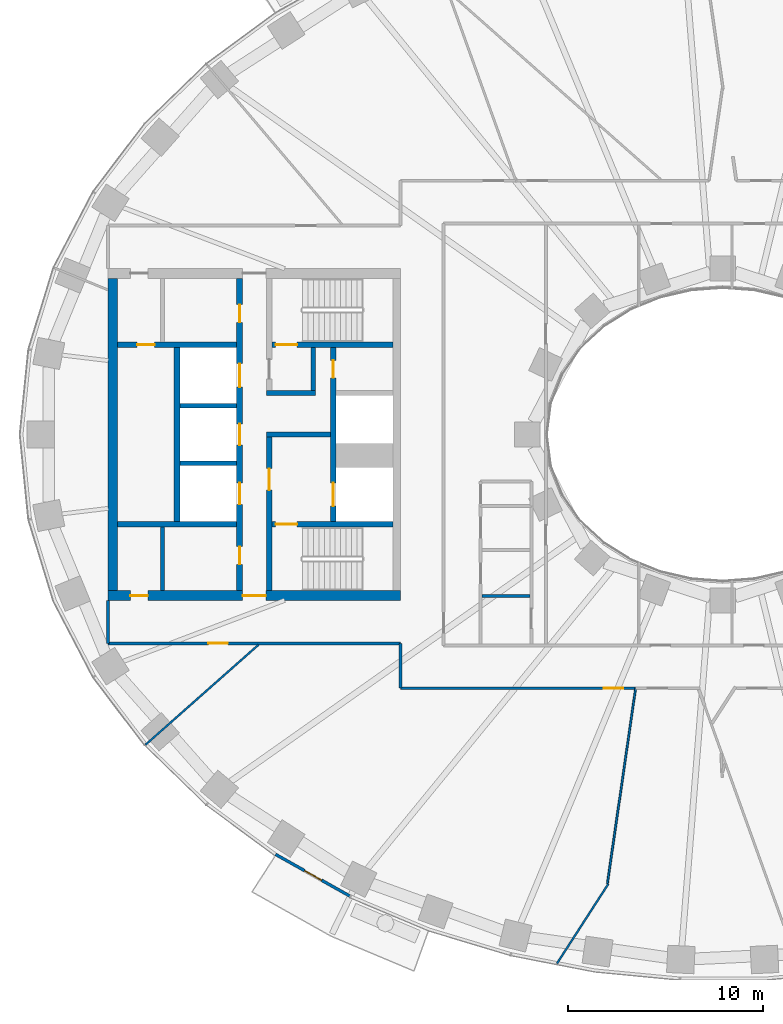
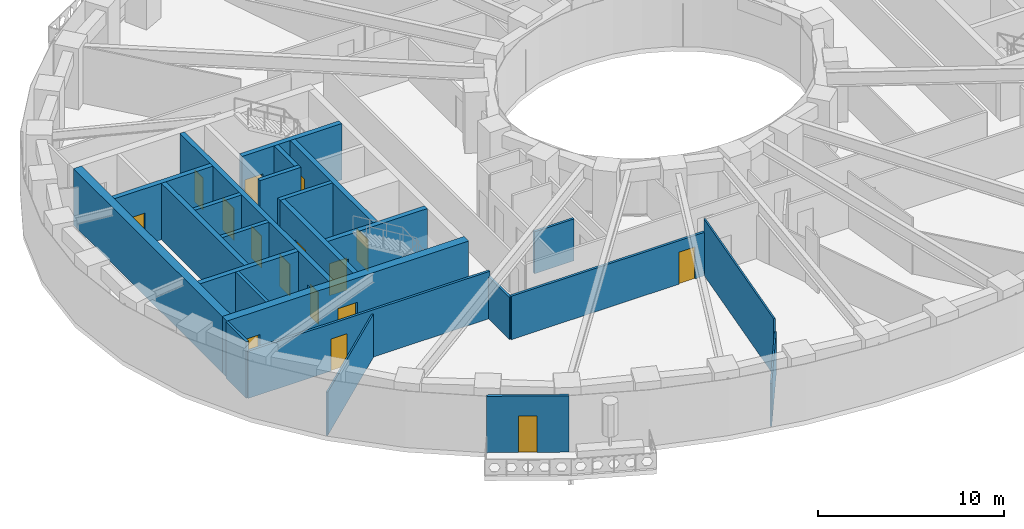
# One storey, part 3 of 15: 25 walls, 16 doors, 16 openings.
"""IFC4 building model written with IfcOpenShell, lengths in metres."""

from ifc_helpers import new_model, si_unit, direction, frame, frame_2d, origin, place, context, subcontext, project, spatial, rectangle, extrude, material, layer, layer_set, type_object, element, fill, save


model = new_model("IFC4")

# Units and contexts
model_context = context("Model", 3, precision=1e-05, world=origin(), true_north=direction((0.0, 1.0)))
body_context = subcontext(model_context, "Body", "Model", "MODEL_VIEW")
ifc_project = project(units=[si_unit("LENGTHUNIT", "METRE"), si_unit("AREAUNIT", "SQUARE_METRE"), si_unit("VOLUMEUNIT", "CUBIC_METRE"), si_unit("PLANEANGLEUNIT", "RADIAN"), si_unit("MASSUNIT", "GRAM", prefix="KILO")], contexts=[model_context])

# Site, building, storey
site_placement = place(None, origin())
site = spatial("IfcSite", under=ifc_project, at=site_placement, CompositionType="ELEMENT")
building_placement = place(site_placement, origin())
building = spatial("IfcBuilding", under=site, at=building_placement, Name="Noorbagh Ring Tower", CompositionType="ELEMENT")
storey_placement = place(building_placement, frame((0.0, 0.0, 62.5)))
storey = spatial("IfcBuildingStorey", under=building, at=storey_placement, Name="L13", CompositionType="ELEMENT", Elevation=62.5)

# Walls
ifc_material_1 = material(Name="Gypsum board on steel studs", Category="steel")
ifc_layer_1 = layer(ifc_material_1, 0.199951171875)
ifc_layer_set_1 = layer_set([ifc_layer_1], Name="Gypsum board on steel studs")
wall_type_1 = type_object("IfcWallType", Name="CORE-PARTITION-200", PredefinedType="PARTITIONING", material=ifc_layer_set_1)
wall_1_placement = place(storey_placement, frame((-28.699951171875, -8.0, 0.0), z_axis=(0.0, 0.0, 1.0), x_axis=(0.0, 1.0, 0.0)))
element("IfcWall", 1, at=wall_1_placement, inside=storey, type_object=wall_type_1, Name="Core partition W", PredefinedType="PARTITIONING", context=body_context, shape_type="SweptSolid", body=[
    extrude(rectangle(XDim=3.25, YDim=0.199951171875, at=frame_2d((1.625, 0.0))), origin(), (0.0, 0.0, 1.0), 3.699951171875),
])
ifc_material_2 = material(Name="Concrete C70/85", Category="concrete")
ifc_layer_2 = layer(ifc_material_2, 0.25)
ifc_layer_set_2 = layer_set([ifc_layer_2], Name="Concrete C70/85")
wall_type_2 = type_object("IfcWallType", Name="CORE-WALL-250-C70-85-EI120", PredefinedType="SHEAR", material=ifc_layer_set_2)
for number, where, z_axis, x_axis, name in (
    (2, (-24.89990234375, -1.47509765625, 0.0), (0.0, 0.0, 1.0), (-1.0, 0.0, 0.0), "Core wall W"),
    (3, (-24.89990234375, 1.47509765625, 0.0), (0.0, 0.0, 1.0), (-1.0, 0.0, 0.0), "Core wall W"),
):
    element("IfcWall", number, at=place(storey_placement, frame(where, z_axis=z_axis, x_axis=x_axis)), inside=storey, type_object=wall_type_2, Name=name, PredefinedType="SHEAR", context=body_context, shape_type="SweptSolid", body=[
        extrude(rectangle(XDim=2.900146484375, YDim=0.25, at=frame_2d((1.4501953125, 0.0))), origin(), (0.0, 0.0, 1.0), 3.699951171875),
    ])
ifc_material_3 = material(Name="Concrete C70/85", Category="concrete")
ifc_layer_3 = layer(ifc_material_3, 0.25)
ifc_layer_set_3 = layer_set([ifc_layer_3], Name="Concrete C70/85")
wall_type_3 = type_object("IfcWallType", Name="CORE-WALL-250-C70-85-EI240", PredefinedType="SHEAR", material=ifc_layer_set_3)
wall_2_placement = place(storey_placement, frame((-20.10009765625, 0.0, 0.0), z_axis=(0.0, 0.0, 1.0), x_axis=(-1.0, 0.0, 0.0)))
element("IfcWall", 4, at=wall_2_placement, inside=storey, type_object=wall_type_3, Name="Core wall W", PredefinedType="SHEAR", context=body_context, shape_type="SweptSolid", body=[
    extrude(rectangle(XDim=3.27978515625, YDim=0.25, at=frame_2d((1.639892578125, 0.0))), origin(), (0.0, 0.0, 1.0), 3.699951171875),
])
wall_3_placement = place(storey_placement, frame((-20.85009765625, 2.125, 0.0), z_axis=(0.0, 0.0, 1.0), x_axis=(-1.0, 0.0, 0.0)))
element("IfcWall", 5, at=wall_3_placement, inside=storey, type_object=wall_type_3, Name="Core wall W", PredefinedType="SHEAR", context=body_context, shape_type="SweptSolid", body=[
    extrude(rectangle(XDim=2.52978515625, YDim=0.25, at=frame_2d((1.264892578125, 0.0))), origin(), (0.0, 0.0, 1.0), 3.699951171875),
])
wall_4_placement = place(storey_placement, frame((-20.97509765625, 2.25, 0.0), z_axis=(0.0, 0.0, 1.0), x_axis=(0.0, 1.0, 0.0)))
element("IfcWall", 6, at=wall_4_placement, inside=storey, type_object=wall_type_3, Name="Core wall W", PredefinedType="SHEAR", context=body_context, shape_type="SweptSolid", body=[
    extrude(rectangle(XDim=2.199951171875, YDim=0.25, at=frame_2d((1.10009765625, 0.0))), origin(), (0.0, 0.0, 1.0), 3.699951171875),
])
ifc_material_4 = material(Name="Concrete C70/85", Category="concrete")
ifc_layer_4 = layer(ifc_material_4, 0.300048828125)
ifc_layer_set_4 = layer_set([ifc_layer_4], Name="Concrete C70/85")
wall_type_4 = type_object("IfcWallType", Name="CORE-WALL-300-C70-85-EI120", PredefinedType="SHEAR", material=ifc_layer_set_4)
wall_5_placement = place(storey_placement, frame((-27.949951171875, -4.449951171875, 0.0), z_axis=(0.0, 0.0, 1.0), x_axis=(0.0, 1.0, 0.0)))
element("IfcWall", 7, at=wall_5_placement, inside=storey, type_object=wall_type_4, Name="Core wall W", PredefinedType="SHEAR", context=body_context, shape_type="SweptSolid", body=[
    extrude(rectangle(XDim=8.89990234375, YDim=0.300048828125, at=frame_2d((4.449951171875, 0.0))), origin(), (0.0, 0.0, 1.0), 3.699951171875),
])

# Wall, openings, doors
wall_6_placement = place(storey_placement, frame((-19.949951171875, -4.449951171875, 0.0), z_axis=(0.0, 0.0, 1.0), x_axis=(0.0, 1.0, 0.0)))
wall_6 = element("IfcWall", 8, at=wall_6_placement, inside=storey, type_object=wall_type_4, Name="Core wall W", PredefinedType="SHEAR", context=body_context, shape_type="SweptSolid", body=[
    extrude(rectangle(XDim=8.89990234375, YDim=0.300048828125, at=frame_2d((4.449951171875, 0.0))), origin(), (0.0, 0.0, 1.0), 3.699951171875),
])
opening_1_placement = place(wall_6_placement, frame((0.77490234375, 0.0, 0.0)))
opening_1 = element("IfcOpeningElement", 9, at=opening_1_placement, cuts=wall_6, Name="Opening L13-CW01", PredefinedType="OPENING", context=body_context, shape_type="SweptSolid", body=[
    extrude(rectangle(XDim=1.199951171875, YDim=2.10009765625, at=frame_2d((0.60009765625, 1.050048828125))), frame((0.0, 0.16015625, 0.0), z_axis=(0.0, -1.0, 0.0), x_axis=(1.0, 0.0, 0.0)), (0.0, 0.0, 1.0), 0.320068359375),
])
opening_2_placement = place(wall_6_placement, frame((7.35009765625, 0.0, 0.0)))
opening_2 = element("IfcOpeningElement", 10, at=opening_2_placement, cuts=wall_6, Name="Opening L13-CW11", PredefinedType="OPENING", context=body_context, shape_type="SweptSolid", body=[
    extrude(rectangle(XDim=0.89990234375, YDim=2.10009765625, at=frame_2d((0.449951171875, 1.050048828125))), frame((0.0, 0.16015625, 0.0), z_axis=(0.0, -1.0, 0.0), x_axis=(1.0, 0.0, 0.0)), (0.0, 0.0, 1.0), 0.320068359375),
])
ifc_material_5 = material(Name="Steel door leaf", Category="steel")
door_type_1 = type_object("IfcDoorType", Name="CORE-DOOR-DROOM", OperationType="SINGLE_SWING_LEFT", PredefinedType="DOOR", material=ifc_material_5)
door_1_placement = place(opening_2_placement, origin())
door_1 = element("IfcDoor", 11, at=door_1_placement, inside=storey, type_object=door_type_1, Name="Core room door L13-CW11", OperationType="SINGLE_SWING_LEFT", OverallHeight=2.10009765625, OverallWidth=0.89990234375, PredefinedType="DOOR", context=body_context, shape_type="SweptSolid", body=[
    extrude(rectangle(XDim=0.89990234375, YDim=2.10009765625, at=frame_2d((0.449951171875, 1.050048828125))), frame((0.0, 0.02490234375, 0.0), z_axis=(0.0, -1.0, 0.0), x_axis=(1.0, 0.0, 0.0)), (0.0, 0.0, 1.0), 0.050048828125),
])
fill(opening_2, door_1)
ifc_material_6 = material(Name="Steel door leaf", Category="steel")
door_type_2 = type_object("IfcDoorType", Name="CORE-DOOR-LDW", OperationType="DOUBLE_DOOR_SLIDING", PredefinedType="DOOR", material=ifc_material_6)
door_2_placement = place(opening_1_placement, origin())
door_2 = element("IfcDoor", 12, at=door_2_placement, inside=storey, type_object=door_type_2, Name="Landing door FF1 L13-CW01", OperationType="DOUBLE_DOOR_SLIDING", OverallHeight=2.10009765625, OverallWidth=1.199951171875, PredefinedType="DOOR", context=body_context, shape_type="SweptSolid", body=[
    extrude(rectangle(XDim=1.199951171875, YDim=2.10009765625, at=frame_2d((0.60009765625, 1.050048828125))), frame((0.0, 0.02490234375, 0.0), z_axis=(0.0, -1.0, 0.0), x_axis=(1.0, 0.0, 0.0)), (0.0, 0.0, 1.0), 0.050048828125),
])
fill(opening_1, door_2)

wall_7_placement = place(storey_placement, frame((-24.75, -8.0, 0.0), z_axis=(0.0, 0.0, 1.0), x_axis=(0.0, 1.0, 0.0)))
wall_7 = element("IfcWall", 13, at=wall_7_placement, inside=storey, type_object=wall_type_4, Name="Core wall W", PredefinedType="SHEAR", context=body_context, shape_type="SweptSolid", body=[
    extrude(rectangle(XDim=16.0, YDim=0.300048828125, at=frame_2d((8.0, 0.0))), origin(), (0.0, 0.0, 1.0), 3.699951171875),
])
opening_3_placement = place(wall_7_placement, frame((4.425048828125, 0.0, 0.0)))
opening_3 = element("IfcOpeningElement", 14, at=opening_3_placement, cuts=wall_7, Name="Opening L13-CW02", PredefinedType="OPENING", context=body_context, shape_type="SweptSolid", body=[
    extrude(rectangle(XDim=1.10009765625, YDim=2.10009765625, at=frame_2d((0.550048828125, 1.050048828125))), frame((0.0, 0.16015625, 0.0), z_axis=(0.0, -1.0, 0.0), x_axis=(1.0, 0.0, 0.0)), (0.0, 0.0, 1.0), 0.320068359375),
])
opening_4_placement = place(wall_7_placement, frame((7.449951171875, 0.0, 0.0)))
opening_4 = element("IfcOpeningElement", 15, at=opening_4_placement, cuts=wall_7, Name="Opening L13-CW03", PredefinedType="OPENING", context=body_context, shape_type="SweptSolid", body=[
    extrude(rectangle(XDim=1.10009765625, YDim=2.10009765625, at=frame_2d((0.550048828125, 1.050048828125))), frame((0.0, 0.16015625, 0.0), z_axis=(0.0, -1.0, 0.0), x_axis=(1.0, 0.0, 0.0)), (0.0, 0.0, 1.0), 0.320068359375),
])
opening_5_placement = place(wall_7_placement, frame((10.425048828125, 0.0, 0.0)))
opening_5 = element("IfcOpeningElement", 16, at=opening_5_placement, cuts=wall_7, Name="Opening L13-CW04", PredefinedType="OPENING", context=body_context, shape_type="SweptSolid", body=[
    extrude(rectangle(XDim=1.199951171875, YDim=2.10009765625, at=frame_2d((0.60009765625, 1.050048828125))), frame((0.0, 0.16015625, 0.0), z_axis=(0.0, -1.0, 0.0), x_axis=(1.0, 0.0, 0.0)), (0.0, 0.0, 1.0), 0.320068359375),
])
opening_6_placement = place(wall_7_placement, frame((13.75, 0.0, 0.0)))
opening_6 = element("IfcOpeningElement", 17, at=opening_6_placement, cuts=wall_7, Name="Opening L13-CW12", PredefinedType="OPENING", context=body_context, shape_type="SweptSolid", body=[
    extrude(rectangle(XDim=0.89990234375, YDim=2.10009765625, at=frame_2d((0.449951171875, 1.050048828125))), frame((0.0, 0.16015625, 0.0), z_axis=(0.0, -1.0, 0.0), x_axis=(1.0, 0.0, 0.0)), (0.0, 0.0, 1.0), 0.320068359375),
])
opening_7_placement = place(wall_7_placement, frame((1.35009765625, 0.0, 0.0)))
opening_7 = element("IfcOpeningElement", 18, at=opening_7_placement, cuts=wall_7, Name="Opening L13-CW14", PredefinedType="OPENING", context=body_context, shape_type="SweptSolid", body=[
    extrude(rectangle(XDim=0.89990234375, YDim=2.10009765625, at=frame_2d((0.449951171875, 1.050048828125))), frame((0.0, 0.16015625, 0.0), z_axis=(0.0, -1.0, 0.0), x_axis=(1.0, 0.0, 0.0)), (0.0, 0.0, 1.0), 0.320068359375),
])
door_3_placement = place(opening_6_placement, origin())
door_3 = element("IfcDoor", 19, at=door_3_placement, inside=storey, type_object=door_type_1, Name="Core room door L13-CW12", OperationType="SINGLE_SWING_RIGHT", OverallHeight=2.10009765625, OverallWidth=0.89990234375, PredefinedType="DOOR", context=body_context, shape_type="SweptSolid", body=[
    extrude(rectangle(XDim=0.89990234375, YDim=2.10009765625, at=frame_2d((0.449951171875, 1.050048828125))), frame((0.0, 0.02490234375, 0.0), z_axis=(0.0, -1.0, 0.0), x_axis=(1.0, 0.0, 0.0)), (0.0, 0.0, 1.0), 0.050048828125),
])
fill(opening_6, door_3)
door_4_placement = place(opening_7_placement, origin())
door_4 = element("IfcDoor", 20, at=door_4_placement, inside=storey, type_object=door_type_1, Name="Core room door L13-CW14", OperationType="SINGLE_SWING_LEFT", OverallHeight=2.10009765625, OverallWidth=0.89990234375, PredefinedType="DOOR", context=body_context, shape_type="SweptSolid", body=[
    extrude(rectangle(XDim=0.89990234375, YDim=2.10009765625, at=frame_2d((0.449951171875, 1.050048828125))), frame((0.0, 0.02490234375, 0.0), z_axis=(0.0, -1.0, 0.0), x_axis=(1.0, 0.0, 0.0)), (0.0, 0.0, 1.0), 0.050048828125),
])
fill(opening_7, door_4)
ifc_material_7 = material(Name="Steel door leaf", Category="steel")
door_type_3 = type_object("IfcDoorType", Name="CORE-DOOR-LD", OperationType="DOUBLE_DOOR_SLIDING", PredefinedType="DOOR", material=ifc_material_7)
door_5_placement = place(opening_3_placement, origin())
door_5 = element("IfcDoor", 21, at=door_5_placement, inside=storey, type_object=door_type_3, Name="Landing door LR1 L13-CW02", OperationType="DOUBLE_DOOR_SLIDING", OverallHeight=2.10009765625, OverallWidth=1.10009765625, PredefinedType="DOOR", context=body_context, shape_type="SweptSolid", body=[
    extrude(rectangle(XDim=1.10009765625, YDim=2.10009765625, at=frame_2d((0.550048828125, 1.050048828125))), frame((0.0, 0.02490234375, 0.0), z_axis=(0.0, -1.0, 0.0), x_axis=(1.0, 0.0, 0.0)), (0.0, 0.0, 1.0), 0.050048828125),
])
fill(opening_3, door_5)
door_6_placement = place(opening_4_placement, origin())
door_6 = element("IfcDoor", 22, at=door_6_placement, inside=storey, type_object=door_type_3, Name="Landing door LR2 L13-CW03", OperationType="DOUBLE_DOOR_SLIDING", OverallHeight=2.10009765625, OverallWidth=1.10009765625, PredefinedType="DOOR", context=body_context, shape_type="SweptSolid", body=[
    extrude(rectangle(XDim=1.10009765625, YDim=2.10009765625, at=frame_2d((0.550048828125, 1.050048828125))), frame((0.0, 0.02490234375, 0.0), z_axis=(0.0, -1.0, 0.0), x_axis=(1.0, 0.0, 0.0)), (0.0, 0.0, 1.0), 0.050048828125),
])
fill(opening_4, door_6)
door_7_placement = place(opening_5_placement, origin())
door_7 = element("IfcDoor", 23, at=door_7_placement, inside=storey, type_object=door_type_2, Name="Landing door SV1 L13-CW04", OperationType="DOUBLE_DOOR_SLIDING", OverallHeight=2.10009765625, OverallWidth=1.199951171875, PredefinedType="DOOR", context=body_context, shape_type="SweptSolid", body=[
    extrude(rectangle(XDim=1.199951171875, YDim=2.10009765625, at=frame_2d((0.60009765625, 1.050048828125))), frame((0.0, 0.02490234375, 0.0), z_axis=(0.0, -1.0, 0.0), x_axis=(1.0, 0.0, 0.0)), (0.0, 0.0, 1.0), 0.050048828125),
])
fill(opening_5, door_7)

# Wall, opening, door
ifc_material_8 = material(Name="Concrete C70/85", Category="concrete")
ifc_layer_5 = layer(ifc_material_8, 0.300048828125)
ifc_layer_set_5 = layer_set([ifc_layer_5], Name="Concrete C70/85")
wall_type_5 = type_object("IfcWallType", Name="CORE-WALL-300-C70-85-EI240", PredefinedType="SHEAR", material=ifc_layer_set_5)
wall_8_placement = place(storey_placement, frame((-24.89990234375, 4.60009765625, 0.0), z_axis=(0.0, 0.0, 1.0), x_axis=(-1.0, 0.0, 0.0)))
wall_8 = element("IfcWall", 24, at=wall_8_placement, inside=storey, type_object=wall_type_5, Name="Core wall W", PredefinedType="SHEAR", context=body_context, shape_type="SweptSolid", body=[
    extrude(rectangle(XDim=6.10009765625, YDim=0.300048828125, at=frame_2d((3.050048828125, 0.0))), origin(), (0.0, 0.0, 1.0), 3.699951171875),
])
opening_8_placement = place(wall_8_placement, frame((4.199951171875, 0.0, 0.0)))
opening_8 = element("IfcOpeningElement", 25, at=opening_8_placement, cuts=wall_8, Name="Opening L13-CW16", PredefinedType="OPENING", context=body_context, shape_type="SweptSolid", body=[
    extrude(rectangle(XDim=0.89990234375, YDim=2.10009765625, at=frame_2d((0.449951171875, 1.050048828125))), frame((0.0, 0.16015625, 0.0), z_axis=(0.0, -1.0, 0.0), x_axis=(1.0, 0.0, 0.0)), (0.0, 0.0, 1.0), 0.320068359375),
])
door_8_placement = place(opening_8_placement, origin())
door_8 = element("IfcDoor", 26, at=door_8_placement, inside=storey, type_object=door_type_1, Name="Core room door L13-CW16", OperationType="SINGLE_SWING_LEFT", OverallHeight=2.10009765625, OverallWidth=0.89990234375, PredefinedType="DOOR", context=body_context, shape_type="SweptSolid", body=[
    extrude(rectangle(XDim=0.89990234375, YDim=2.10009765625, at=frame_2d((0.449951171875, 1.050048828125))), frame((0.0, 0.02490234375, 0.0), z_axis=(0.0, -1.0, 0.0), x_axis=(1.0, 0.0, 0.0)), (0.0, 0.0, 1.0), 0.050048828125),
])
fill(opening_8, door_8)

# Wall
wall_9_placement = place(storey_placement, frame((-24.89990234375, -4.60009765625, 0.0), z_axis=(0.0, 0.0, 1.0), x_axis=(-1.0, 0.0, 0.0)))
element("IfcWall", 27, at=wall_9_placement, inside=storey, type_object=wall_type_5, Name="Core wall W", PredefinedType="SHEAR", context=body_context, shape_type="SweptSolid", body=[
    extrude(rectangle(XDim=6.10009765625, YDim=0.300048828125, at=frame_2d((3.050048828125, 0.0))), origin(), (0.0, 0.0, 1.0), 3.699951171875),
])

# Wall, opening, door
wall_10_placement = place(storey_placement, frame((-23.22998046875, -8.0, 0.0), z_axis=(0.0, 0.0, 1.0), x_axis=(0.0, 1.0, 0.0)))
wall_10 = element("IfcWall", 28, at=wall_10_placement, inside=storey, type_object=wall_type_5, Name="Core wall W", PredefinedType="SHEAR", context=body_context, shape_type="SweptSolid", body=[
    extrude(rectangle(XDim=7.875, YDim=0.300048828125, at=frame_2d((3.9375, 0.0))), origin(), (0.0, 0.0, 1.0), 3.699951171875),
])
opening_9_placement = place(wall_10_placement, frame((5.14990234375, 0.0, 0.0)))
opening_9 = element("IfcOpeningElement", 29, at=opening_9_placement, cuts=wall_10, Name="Opening L13-CW07", PredefinedType="OPENING", context=body_context, shape_type="SweptSolid", body=[
    extrude(rectangle(XDim=1.10009765625, YDim=2.10009765625, at=frame_2d((0.550048828125, 1.050048828125))), frame((0.0, 0.16015625, 0.0), z_axis=(0.0, -1.0, 0.0), x_axis=(1.0, 0.0, 0.0)), (0.0, 0.0, 1.0), 0.320068359375),
])
ifc_material_9 = material(Name="Steel door leaf", Category="steel")
door_type_4 = type_object("IfcDoorType", Name="CORE-DOOR-DFF", OperationType="SINGLE_SWING_LEFT", PredefinedType="DOOR", material=ifc_material_9)
door_9_placement = place(opening_9_placement, origin())
door_9 = element("IfcDoor", 30, at=door_9_placement, inside=storey, type_object=door_type_4, Name="Firefighting lobby door L13-CW07", OperationType="SINGLE_SWING_LEFT", OverallHeight=2.10009765625, OverallWidth=1.10009765625, PredefinedType="DOOR", context=body_context, shape_type="SweptSolid", body=[
    extrude(rectangle(XDim=1.10009765625, YDim=2.10009765625, at=frame_2d((0.550048828125, 1.050048828125))), frame((0.0, 0.02490234375, 0.0), z_axis=(0.0, -1.0, 0.0), x_axis=(1.0, 0.0, 0.0)), (0.0, 0.0, 1.0), 0.050048828125),
])
fill(opening_9, door_9)

wall_11_placement = place(storey_placement, frame((-16.89990234375, 4.60009765625, 0.0), z_axis=(0.0, 0.0, 1.0), x_axis=(-1.0, 0.0, 0.0)))
wall_11 = element("IfcWall", 31, at=wall_11_placement, inside=storey, type_object=wall_type_5, Name="Core wall W", PredefinedType="SHEAR", context=body_context, shape_type="SweptSolid", body=[
    extrude(rectangle(XDim=6.18017578125, YDim=0.300048828125, at=frame_2d((3.090087890625, 0.0))), origin(), (0.0, 0.0, 1.0), 3.699951171875),
])
opening_10_placement = place(wall_11_placement, frame((4.89990234375, 0.0, 0.0)))
opening_10 = element("IfcOpeningElement", 32, at=opening_10_placement, cuts=wall_11, Name="Opening L13-CW05", PredefinedType="OPENING", context=body_context, shape_type="SweptSolid", body=[
    extrude(rectangle(XDim=1.10009765625, YDim=2.10009765625, at=frame_2d((0.550048828125, 1.050048828125))), frame((0.0, 0.16015625, 0.0), z_axis=(0.0, -1.0, 0.0), x_axis=(1.0, 0.0, 0.0)), (0.0, 0.0, 1.0), 0.320068359375),
])
ifc_material_10 = material(Name="Steel door leaf", Category="steel")
door_type_5 = type_object("IfcDoorType", Name="CORE-DOOR-DSTAIR", OperationType="SINGLE_SWING_LEFT", PredefinedType="DOOR", material=ifc_material_10)
door_10_placement = place(opening_10_placement, origin())
door_10 = element("IfcDoor", 33, at=door_10_placement, inside=storey, type_object=door_type_5, Name="Stair door ST1 L13-CW05", OperationType="SINGLE_SWING_RIGHT", OverallHeight=2.10009765625, OverallWidth=1.10009765625, PredefinedType="DOOR", context=body_context, shape_type="SweptSolid", body=[
    extrude(rectangle(XDim=1.10009765625, YDim=2.10009765625, at=frame_2d((0.550048828125, 1.050048828125))), frame((0.0, 0.02490234375, 0.0), z_axis=(0.0, -1.0, 0.0), x_axis=(1.0, 0.0, 0.0)), (0.0, 0.0, 1.0), 0.050048828125),
])
fill(opening_10, door_10)

wall_12_placement = place(storey_placement, frame((-16.89990234375, -4.60009765625, 0.0), z_axis=(0.0, 0.0, 1.0), x_axis=(-1.0, 0.0, 0.0)))
wall_12 = element("IfcWall", 34, at=wall_12_placement, inside=storey, type_object=wall_type_5, Name="Core wall W", PredefinedType="SHEAR", context=body_context, shape_type="SweptSolid", body=[
    extrude(rectangle(XDim=6.18017578125, YDim=0.300048828125, at=frame_2d((3.090087890625, 0.0))), origin(), (0.0, 0.0, 1.0), 3.699951171875),
])
opening_11_placement = place(wall_12_placement, frame((4.89990234375, 0.0, 0.0)))
opening_11 = element("IfcOpeningElement", 35, at=opening_11_placement, cuts=wall_12, Name="Opening L13-CW06", PredefinedType="OPENING", context=body_context, shape_type="SweptSolid", body=[
    extrude(rectangle(XDim=1.10009765625, YDim=2.10009765625, at=frame_2d((0.550048828125, 1.050048828125))), frame((0.0, 0.16015625, 0.0), z_axis=(0.0, -1.0, 0.0), x_axis=(1.0, 0.0, 0.0)), (0.0, 0.0, 1.0), 0.320068359375),
])
door_11_placement = place(opening_11_placement, origin())
door_11 = element("IfcDoor", 36, at=door_11_placement, inside=storey, type_object=door_type_5, Name="Stair door ST2 L13-CW06", OperationType="SINGLE_SWING_LEFT", OverallHeight=2.10009765625, OverallWidth=1.10009765625, PredefinedType="DOOR", context=body_context, shape_type="SweptSolid", body=[
    extrude(rectangle(XDim=1.10009765625, YDim=2.10009765625, at=frame_2d((0.550048828125, 1.050048828125))), frame((0.0, 0.02490234375, 0.0), z_axis=(0.0, -1.0, 0.0), x_axis=(1.0, 0.0, 0.0)), (0.0, 0.0, 1.0), 0.050048828125),
])
fill(opening_11, door_11)

# Wall, openings, doors
ifc_material_11 = material(Name="Concrete C70/85", Category="concrete")
ifc_layer_6 = layer(ifc_material_11, 0.5)
ifc_layer_set_6 = layer_set([ifc_layer_6], Name="Concrete C70/85")
wall_type_6 = type_object("IfcWallType", Name="CORE-WALL-500-C70-85-EI240", PredefinedType="SHEAR", material=ifc_layer_set_6)
wall_13_placement = place(storey_placement, frame((-16.5, -8.25, 0.0), z_axis=(0.0, 0.0, 1.0), x_axis=(-1.0, 0.0, 0.0)))
wall_13 = element("IfcWall", 37, at=wall_13_placement, inside=storey, type_object=wall_type_6, Name="Core wall W", PredefinedType="SHEAR", context=body_context, shape_type="SweptSolid", body=[
    extrude(rectangle(XDim=15.0, YDim=0.5, at=frame_2d((7.5, 0.0))), origin(), (0.0, 0.0, 1.0), 3.699951171875),
])
opening_12_placement = place(wall_13_placement, frame((6.89990234375, 0.0, 0.0)))
opening_12 = element("IfcOpeningElement", 38, at=opening_12_placement, cuts=wall_13, Name="Opening L13-CW10", PredefinedType="OPENING", context=body_context, shape_type="SweptSolid", body=[
    extrude(rectangle(XDim=1.199951171875, YDim=2.10009765625, at=frame_2d((0.60009765625, 1.050048828125))), frame((0.0, 0.260009765625, 0.0), z_axis=(0.0, -1.0, 0.0), x_axis=(1.0, 0.0, 0.0)), (0.0, 0.0, 1.0), 0.52001953125),
])
opening_13_placement = place(wall_13_placement, frame((12.949951171875, 0.0, 0.0)))
opening_13 = element("IfcOpeningElement", 39, at=opening_13_placement, cuts=wall_13, Name="Opening L13-CW15", PredefinedType="OPENING", context=body_context, shape_type="SweptSolid", body=[
    extrude(rectangle(XDim=0.89990234375, YDim=2.10009765625, at=frame_2d((0.449951171875, 1.050048828125))), frame((0.0, 0.260009765625, 0.0), z_axis=(0.0, -1.0, 0.0), x_axis=(1.0, 0.0, 0.0)), (0.0, 0.0, 1.0), 0.52001953125),
])
door_12_placement = place(opening_13_placement, origin())
door_12 = element("IfcDoor", 40, at=door_12_placement, inside=storey, type_object=door_type_1, Name="Core room door L13-CW15", OperationType="SINGLE_SWING_LEFT", OverallHeight=2.10009765625, OverallWidth=0.89990234375, PredefinedType="DOOR", context=body_context, shape_type="SweptSolid", body=[
    extrude(rectangle(XDim=0.89990234375, YDim=2.10009765625, at=frame_2d((0.449951171875, 1.050048828125))), frame((0.0, 0.02490234375, 0.0), z_axis=(0.0, -1.0, 0.0), x_axis=(1.0, 0.0, 0.0)), (0.0, 0.0, 1.0), 0.050048828125),
])
fill(opening_13, door_12)
ifc_material_12 = material(Name="Steel door leaf", Category="steel")
door_type_6 = type_object("IfcDoorType", Name="CORE-DOOR-PORT", OperationType="DOUBLE_DOOR_DOUBLE_SWING", PredefinedType="DOOR", material=ifc_material_12)
door_13_placement = place(opening_12_placement, origin())
door_13 = element("IfcDoor", 41, at=door_13_placement, inside=storey, type_object=door_type_6, Name="Core entrance door L13-CW10", OperationType="DOUBLE_DOOR_DOUBLE_SWING", OverallHeight=2.10009765625, OverallWidth=1.199951171875, PredefinedType="DOOR", context=body_context, shape_type="SweptSolid", body=[
    extrude(rectangle(XDim=1.199951171875, YDim=2.10009765625, at=frame_2d((0.60009765625, 1.050048828125))), frame((0.0, 0.02490234375, 0.0), z_axis=(0.0, -1.0, 0.0), x_axis=(1.0, 0.0, 0.0)), (0.0, 0.0, 1.0), 0.050048828125),
])
fill(opening_12, door_13)

# Walls
wall_14_placement = place(storey_placement, frame((-31.25, -8.0, 0.0), z_axis=(0.0, 0.0, 1.0), x_axis=(0.0, 1.0, 0.0)))
element("IfcWall", 42, at=wall_14_placement, inside=storey, type_object=wall_type_6, Name="Core wall W", PredefinedType="SHEAR", context=body_context, shape_type="SweptSolid", body=[
    extrude(rectangle(XDim=16.0, YDim=0.5, at=frame_2d((8.0, 0.0))), origin(), (0.0, 0.0, 1.0), 3.699951171875),
])
ifc_material_13 = material(Name="Gypsum board on steel studs", Category="steel")
ifc_layer_7 = layer(ifc_material_13, 0.14990234375)
ifc_layer_set_7 = layer_set([ifc_layer_7], Name="Gypsum board on steel studs")
wall_type_7 = type_object("IfcWallType", Name="CORRIDOR PARTITION 150 EI 30", PredefinedType="PARTITIONING", material=ifc_layer_set_7)
wall_15_placement = place(storey_placement, frame((-31.5, -10.699951171875, 0.0), z_axis=(0.0, 0.0, 1.0), x_axis=(0.0, 1.0, 0.0)))
element("IfcWall", 43, at=wall_15_placement, inside=storey, type_object=wall_type_7, Name="L13/wall/P02", PredefinedType="PARTITIONING", context=body_context, shape_type="SweptSolid", body=[
    extrude(rectangle(XDim=2.199951171875, YDim=0.14990234375, at=frame_2d((1.10009765625, 0.0))), origin(), (0.0, 0.0, 1.0), 3.699951171875),
])

# Wall, opening, door
wall_16_placement = place(storey_placement, frame((-31.5, -10.699951171875, 0.0), z_axis=(0.0, 0.0, 1.0), x_axis=(1.0, 0.0, 0.0)))
wall_16 = element("IfcWall", 44, at=wall_16_placement, inside=storey, type_object=wall_type_7, Name="L13/wall/P03", PredefinedType="PARTITIONING", context=body_context, shape_type="SweptSolid", body=[
    extrude(rectangle(XDim=15.0, YDim=0.14990234375, at=frame_2d((7.5, 0.0))), origin(), (0.0, 0.0, 1.0), 3.10009765625),
])
opening_14_placement = place(wall_16_placement, frame((5.14990234375, 0.0, 0.0)))
opening_14 = element("IfcOpeningElement", 45, at=opening_14_placement, cuts=wall_16, Name="Opening D1", PredefinedType="OPENING", context=body_context, shape_type="SweptSolid", body=[
    extrude(rectangle(XDim=1.0, YDim=2.10009765625, at=frame_2d((0.5, 1.050048828125))), frame((0.0, 0.0849609375, 0.0), z_axis=(0.0, -1.0, 0.0), x_axis=(1.0, 0.0, 0.0)), (0.0, 0.0, 1.0), 0.169921875),
])
ifc_material_14 = material(Name="Timber, painted", Category="wood")
door_type_7 = type_object("IfcDoorType", Name="DOOR 1000 X 2100 FD30", OperationType="SINGLE_SWING_LEFT", PredefinedType="DOOR", material=ifc_material_14)
door_14_placement = place(opening_14_placement, origin())
door_14 = element("IfcDoor", 46, at=door_14_placement, inside=storey, type_object=door_type_7, Name="L13-D06", OperationType="SINGLE_SWING_RIGHT", OverallHeight=2.10009765625, OverallWidth=1.0, PredefinedType="DOOR", context=body_context, shape_type="SweptSolid", body=[
    extrude(rectangle(XDim=1.0, YDim=2.10009765625, at=frame_2d((0.5, 1.050048828125))), frame((0.0, 0.02490234375, 0.0), z_axis=(0.0, -1.0, 0.0), x_axis=(1.0, 0.0, 0.0)), (0.0, 0.0, 1.0), 0.050048828125),
])
fill(opening_14, door_14)

# Wall
wall_17_placement = place(storey_placement, frame((-16.5, -13.0, 0.0), z_axis=(0.0, 0.0, 1.0), x_axis=(0.0, 1.0, 0.0)))
element("IfcWall", 47, at=wall_17_placement, inside=storey, type_object=wall_type_7, Name="L13/wall/P08", PredefinedType="PARTITIONING", context=body_context, shape_type="SweptSolid", body=[
    extrude(rectangle(XDim=2.300048828125, YDim=0.14990234375, at=frame_2d((1.14990234375, 0.0))), origin(), (0.0, 0.0, 1.0), 2.75),
])

# Wall, opening, door
wall_18_placement = place(storey_placement, frame((-16.5, -13.0, 0.0), z_axis=(0.0, 0.0, 1.0), x_axis=(1.0, 0.0, 0.0)))
wall_18 = element("IfcWall", 48, at=wall_18_placement, inside=storey, type_object=wall_type_7, Name="L13/wall/P09", PredefinedType="PARTITIONING", context=body_context, shape_type="SweptSolid", body=[
    extrude(rectangle(XDim=12.02099609375, YDim=0.14990234375, at=frame_2d((6.010498046875, 0.0))), origin(), (0.0, 0.0, 1.0), 2.85009765625),
])
opening_15_placement = place(wall_18_placement, frame((10.39990234375, 0.0, 0.0)))
opening_15 = element("IfcOpeningElement", 49, at=opening_15_placement, cuts=wall_18, Name="Opening D1", PredefinedType="OPENING", context=body_context, shape_type="SweptSolid", body=[
    extrude(rectangle(XDim=1.0, YDim=2.10009765625, at=frame_2d((0.5, 1.050048828125))), frame((0.0, 0.0849609375, 0.0), z_axis=(0.0, -1.0, 0.0), x_axis=(1.0, 0.0, 0.0)), (0.0, 0.0, 1.0), 0.169921875),
])
door_15_placement = place(opening_15_placement, origin())
door_15 = element("IfcDoor", 50, at=door_15_placement, inside=storey, type_object=door_type_7, Name="L13-D08", OperationType="SINGLE_SWING_RIGHT", OverallHeight=2.10009765625, OverallWidth=1.0, PredefinedType="DOOR", context=body_context, shape_type="SweptSolid", body=[
    extrude(rectangle(XDim=1.0, YDim=2.10009765625, at=frame_2d((0.5, 1.050048828125))), frame((0.0, 0.02490234375, 0.0), z_axis=(0.0, -1.0, 0.0), x_axis=(1.0, 0.0, 0.0)), (0.0, 0.0, 1.0), 0.050048828125),
])
fill(opening_15, door_15)

# Wall
wall_19_placement = place(storey_placement, frame((-12.324951171875, -8.280029296875, 0.0), z_axis=(0.0, 0.0, 1.0), x_axis=(1.0, 0.0, 0.0)))
element("IfcWall", 51, at=wall_19_placement, inside=storey, type_object=wall_type_7, Name="L13/wall/P18", PredefinedType="PARTITIONING", context=body_context, shape_type="SweptSolid", body=[
    extrude(rectangle(XDim=2.449951171875, YDim=0.14990234375, at=frame_2d((1.22509765625, 0.0))), origin(), (0.0, 0.0, 1.0), 2.75),
])

# Wall, opening, door
ifc_material_15 = material(Name="Insulated aluminium clad panel", Category="aluminium")
ifc_layer_8 = layer(ifc_material_15, 0.14990234375)
ifc_layer_set_8 = layer_set([ifc_layer_8], Name="Insulated aluminium clad panel")
wall_type_8 = type_object("IfcWallType", Name="ENV-WALL-DOOR", PredefinedType="STANDARD", material=ifc_layer_set_8)
wall_20_placement = place(storey_placement, frame((-22.913330078125, -21.508544921875, 0.0), z_axis=(0.0, 0.0, 1.0), x_axis=(0.872046572975, -0.489422899509, 0.0)))
wall_20 = element("IfcWall", 52, at=wall_20_placement, inside=storey, type_object=wall_type_8, Name="Balcony door wall chord 30", PredefinedType="STANDARD", context=body_context, shape_type="SweptSolid", body=[
    extrude(rectangle(XDim=4.425537109375, YDim=0.14990234375, at=frame_2d((2.212890625, 0.0))), origin(), (0.0, 0.0, 1.0), 3.699951171875),
])
opening_16_placement = place(wall_20_placement, frame((1.712646484375, 0.0, 0.0)))
opening_16 = element("IfcOpeningElement", 53, at=opening_16_placement, cuts=wall_20, Name="Opening D-BL", PredefinedType="OPENING", context=body_context, shape_type="SweptSolid", body=[
    extrude(rectangle(XDim=1.0, YDim=2.39990234375, at=frame_2d((0.5, 1.199951171875))), frame((0.0, 0.0849609375, 0.0), z_axis=(0.0, -1.0, 0.0), x_axis=(1.0, 0.0, 0.0)), (0.0, 0.0, 1.0), 0.169921875),
])
ifc_material_16 = material(Name="Aluminium and glass", Category="aluminium")
door_type_8 = type_object("IfcDoorType", Name="ENV-DOOR-BALCONY", OperationType="SINGLE_SWING_LEFT", PredefinedType="DOOR", material=ifc_material_16)
door_16_placement = place(opening_16_placement, origin())
door_16 = element("IfcDoor", 54, at=door_16_placement, inside=storey, type_object=door_type_8, Name="Balcony door chord 30", OperationType="SINGLE_SWING_RIGHT", OverallHeight=2.39990234375, OverallWidth=1.0, PredefinedType="DOOR", context=body_context, shape_type="SweptSolid", body=[
    extrude(rectangle(XDim=1.0, YDim=2.39990234375, at=frame_2d((0.5, 1.199951171875))), frame((0.0, 0.02490234375, 0.0), z_axis=(0.0, -1.0, 0.0), x_axis=(1.0, 0.0, 0.0)), (0.0, 0.0, 1.0), 0.050048828125),
])
fill(opening_16, door_16)

# Walls
ifc_material_17 = material(Name="Gypsum board on steel studs", Category="steel")
ifc_layer_9 = layer(ifc_material_17, 0.10009765625)
ifc_layer_set_9 = layer_set([ifc_layer_9], Name="Gypsum board on steel studs")
wall_type_9 = type_object("IfcWallType", Name="PARTITION 100 GYPSUM", PredefinedType="PARTITIONING", material=ifc_layer_set_9)
wall_21_placement = place(storey_placement, frame((-29.569091796875, -15.89501953125, 0.0), z_axis=(0.0, 0.0, 1.0), x_axis=(0.748985701008, 0.662586160198, 0.0)))
element("IfcWall", 55, at=wall_21_placement, inside=storey, type_object=wall_type_9, Name="L13/wall/P06", PredefinedType="PARTITIONING", context=body_context, shape_type="SweptSolid", body=[
    extrude(rectangle(XDim=7.72265625, YDim=0.10009765625, at=frame_2d((3.861328125, 0.0))), origin(), (0.0, 0.0, 1.0), 2.85009765625),
])
wall_22_placement = place(storey_placement, frame((-8.490966796875, -27.10400390625, 0.0), z_axis=(0.0, 0.0, 1.0), x_axis=(0.542285995048, 0.840193965448, 0.0)))
element("IfcWall", 56, at=wall_22_placement, inside=storey, type_object=wall_type_9, Name="L13/wall/P28", PredefinedType="PARTITIONING", context=body_context, shape_type="SweptSolid", body=[
    extrude(rectangle(XDim=4.857177734375, YDim=0.10009765625, at=frame_2d((2.4287109375, 0.0))), origin(), (0.0, 0.0, 1.0), 2.85009765625),
])
wall_23_placement = place(storey_placement, frame((-5.905029296875, -23.0048828125, 0.0), z_axis=(0.0, 0.0, 1.0), x_axis=(0.143007570509, 0.98972159458, 0.0)))
element("IfcWall", 57, at=wall_23_placement, inside=storey, type_object=wall_type_9, Name="L13/wall/P29", PredefinedType="PARTITIONING", context=body_context, shape_type="SweptSolid", body=[
    extrude(rectangle(XDim=10.104736328125, YDim=0.10009765625, at=frame_2d((5.05224609375, 0.0))), origin(), (0.0, 0.0, 1.0), 3.699951171875),
])

save(model, "model.ifc")
